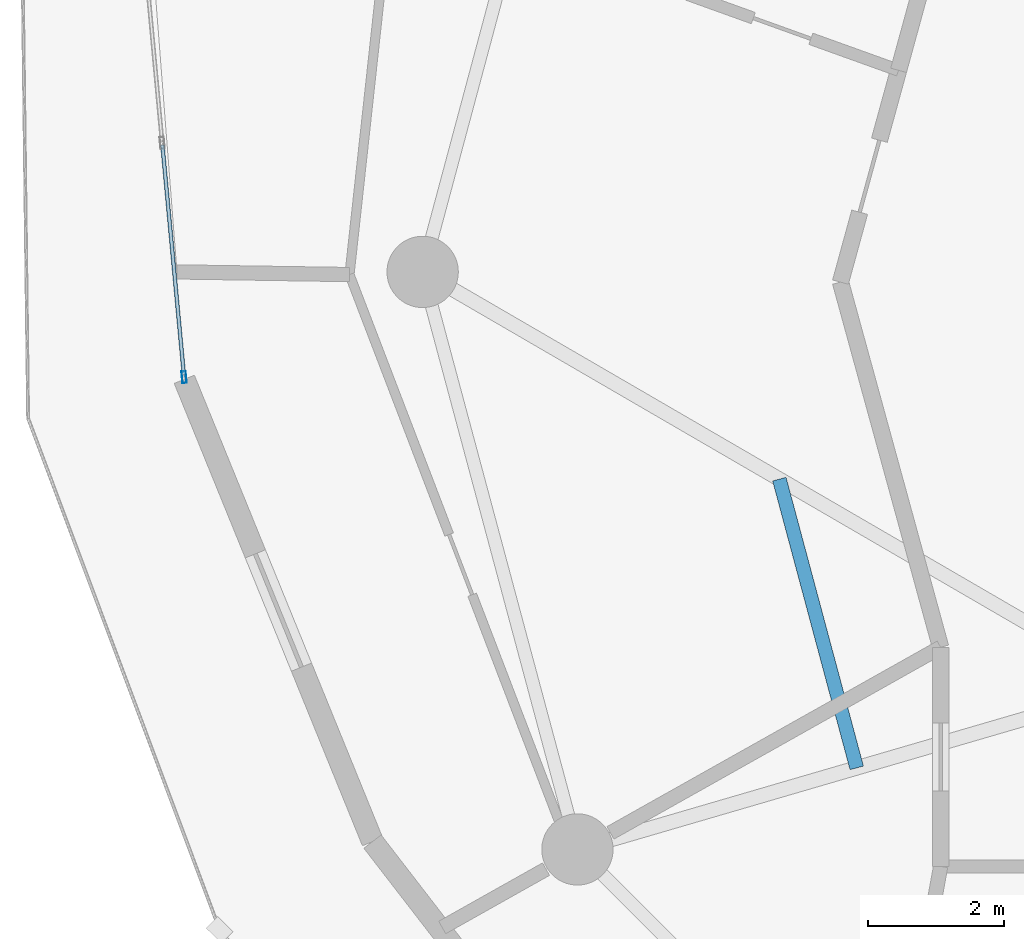
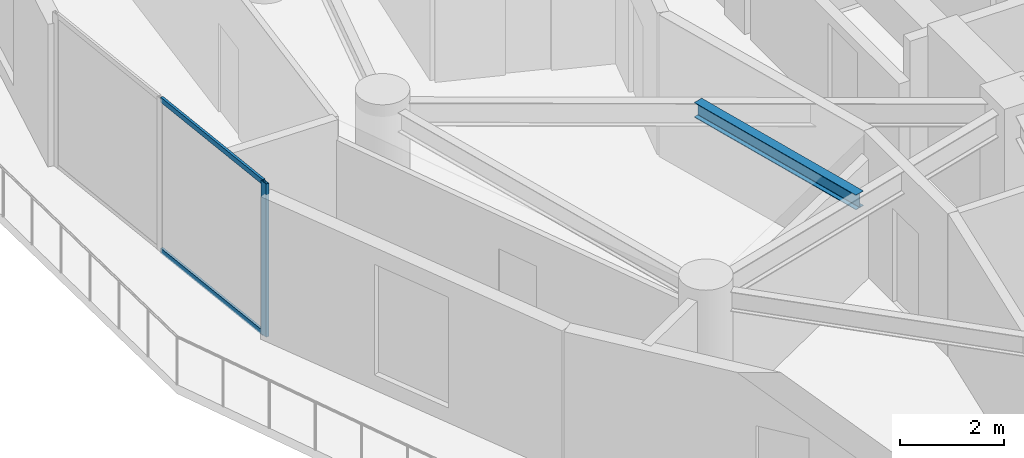
# One storey, part 5 of 22: 3 members, 1 beam, 1 element without a shape of its own.
"""IFC4 building model written with IfcOpenShell, lengths in metres."""

from ifc_helpers import new_model, si_unit, direction, frame, origin, origin_2d, place, context, subcontext, project, spatial, hollow_rectangle, i_section, extrude, source, transform, mapped, material, layer, layer_set, material_profile, profile_set, type_object, element, aggregate, save


model = new_model("IFC4")

# Units and contexts
model_context = context("Model", 3, precision=1e-05, world=origin(), true_north=direction((0.0, 1.0)))
body_context = subcontext(model_context, "Body", "Model", "MODEL_VIEW")
ifc_project = project(units=[si_unit("LENGTHUNIT", "METRE"), si_unit("AREAUNIT", "SQUARE_METRE"), si_unit("VOLUMEUNIT", "CUBIC_METRE"), si_unit("PLANEANGLEUNIT", "RADIAN"), si_unit("MASSUNIT", "GRAM", prefix="KILO")], contexts=[model_context])

# Site, building, storey
site_placement = place(None, origin())
site = spatial("IfcSite", under=ifc_project, at=site_placement, CompositionType="ELEMENT")
building_placement = place(site_placement, origin())
building = spatial("IfcBuilding", under=site, at=building_placement, Name="Solvirekh Grand Hotel", CompositionType="ELEMENT")
storey_placement = place(building_placement, frame((0.0, 0.0, 145.800048828125)))
storey = spatial("IfcBuildingStorey", under=building, at=storey_placement, Name="L37", CompositionType="ELEMENT", Elevation=145.800048828125)

# Beam
ifc_material_1 = material(Name="Steel S355", Category="steel")
ifc_material_profile_1 = material_profile(ifc_material_1, i_section(OverallWidth=0.2041015625, OverallDepth=0.35009765625, WebThickness=0.009033203125, FlangeThickness=0.014892578125, FilletRadius=0.010986328125, at=origin_2d()), Name="W360X72")
ifc_profile_set_1 = profile_set([ifc_material_profile_1], Name="Steel S355")
beam_type = type_object("IfcBeamType", Name="Joist_Floor_W360", PredefinedType="JOIST", material=ifc_profile_set_1)
beam_placement = place(storey_placement, frame((-11.75, -3.050048828125, 3.175048828125), z_axis=(0.258847024572, -0.965918328778, 0.0), x_axis=(0.965918328778, 0.258847024572, 0.0)))
element("IfcBeam", 1, at=beam_placement, inside=storey, type_object=beam_type, Name="L37 secondary composite floor joist 7", PredefinedType="JOIST", context=body_context, shape_type="SweptSolid", body=[
    extrude(i_section(OverallWidth=0.2041015625, OverallDepth=0.35009765625, WebThickness=0.009033203125, FlangeThickness=0.014892578125, FilletRadius=0.010986328125, at=origin_2d()), origin(), (0.0, 0.0, 1.0), 4.39990234375),
])

# Curtain wall, members
ifc_material_2 = material(Name="Anodized Bronze Aluminium 6063-T6", Category="aluminium")
ifc_layer = layer(ifc_material_2, 0.175048828125)
ifc_layer_set = layer_set([ifc_layer], Name="Anodized Bronze Aluminium 6063-T6")
curtain_wall_type = type_object("IfcCurtainWallType", Name="CW_Sys3_MidZoneFlushBronzeCW", PredefinedType="NOTDEFINED", material=ifc_layer_set)
curtain_wall_placement = place(storey_placement, origin())
curtain_wall = element("IfcCurtainWall", 2, at=curtain_wall_placement, inside=storey, type_object=curtain_wall_type, Name="L37 unitised bronze-glass curtain wall CW-L37-C13", PredefinedType="NOTDEFINED")
ifc_material_profile_2 = material_profile(ifc_material_2, hollow_rectangle(XDim=0.06494140625, YDim=0.175048828125, WallThickness=0.0048828125, at=origin_2d()), Name="ALU RHS 175X65X5")
ifc_profile_set_2 = profile_set([ifc_material_profile_2], Name="Anodized Bronze Aluminium 6063-T6")
member_type_1 = type_object("IfcMemberType", Name="CWMullion_Sys3", PredefinedType="MULLION", material=ifc_profile_set_2)
shared_shape_1 = source(origin(), body_context, "Body", "SweptSolid", [
    extrude(hollow_rectangle(XDim=0.06494140625, YDim=0.175048828125, WallThickness=0.0048828125, at=origin_2d()), origin(), (0.0, 0.0, 1.0), 3.599853515625),
])
member_1_placement = place(storey_placement, frame((-20.510986328125, -1.548583984375, 0.0), z_axis=(0.0, 0.0, 1.0), x_axis=(0.995666162308, 0.092999425997, 0.0)))
member_1 = element("IfcMember", 3, at=member_1_placement, type_object=member_type_1, Name="U03 mullion 3", PredefinedType="MULLION", context=body_context, shape_type="MappedRepresentation", body=[
    mapped(shared_shape_1, transform((0.0, 0.0, 0.0), x_axis=(1.0, 0.0, 0.0), y_axis=(0.0, 1.0, 0.0), z_axis=(0.0, 0.0, 1.0), scale=1.0)),
])
ifc_material_profile_3 = material_profile(ifc_material_2, hollow_rectangle(XDim=0.054931640625, YDim=0.1201171875, WallThickness=0.00390625, at=origin_2d()), Name="ALU RHS 120X55X4")
ifc_profile_set_3 = profile_set([ifc_material_profile_3], Name="Anodized Bronze Aluminium 6063-T6")
member_type_2 = type_object("IfcMemberType", Name="CWTransom_Sys3", PredefinedType="USERDEFINED", material=ifc_profile_set_3)
shared_shape_2 = source(origin(), body_context, "Body", "SweptSolid", [
    extrude(hollow_rectangle(XDim=0.054931640625, YDim=0.1201171875, WallThickness=0.00390625, at=origin_2d()), origin(), (0.0, 0.0, 1.0), 3.397216796875),
])
member_2_placement = place(storey_placement, frame((-20.830078125, 1.8662109375, 0.02734375), z_axis=(0.09299119515, -0.995666931069, 0.0), x_axis=(0.995666931069, 0.09299119515, 0.0)))
member_2 = element("IfcMember", 4, at=member_2_placement, type_object=member_type_2, Name="U03 transom 2.1", ObjectType="TRANSOM", PredefinedType="USERDEFINED", context=body_context, shape_type="MappedRepresentation", body=[
    mapped(shared_shape_2, transform((0.0, 0.0, 0.0), x_axis=(1.0, 0.0, 0.0), y_axis=(0.0, 1.0, 0.0), z_axis=(0.0, 0.0, 1.0), scale=1.0)),
])
member_3_placement = place(storey_placement, frame((-20.830078125, 1.8662109375, 3.572509765625), z_axis=(0.09299119515, -0.995666931069, 0.0), x_axis=(0.995666931069, 0.09299119515, 0.0)))
member_3 = element("IfcMember", 5, at=member_3_placement, type_object=member_type_2, Name="U03 transom 2.2", ObjectType="TRANSOM", PredefinedType="USERDEFINED", context=body_context, shape_type="MappedRepresentation", body=[
    mapped(shared_shape_2, transform((0.0, 0.0, 0.0), x_axis=(1.0, 0.0, 0.0), y_axis=(0.0, 1.0, 0.0), z_axis=(0.0, 0.0, 1.0), scale=1.0)),
])
aggregate(curtain_wall, [member_1, member_2, member_3])

save(model, "model.ifc")
